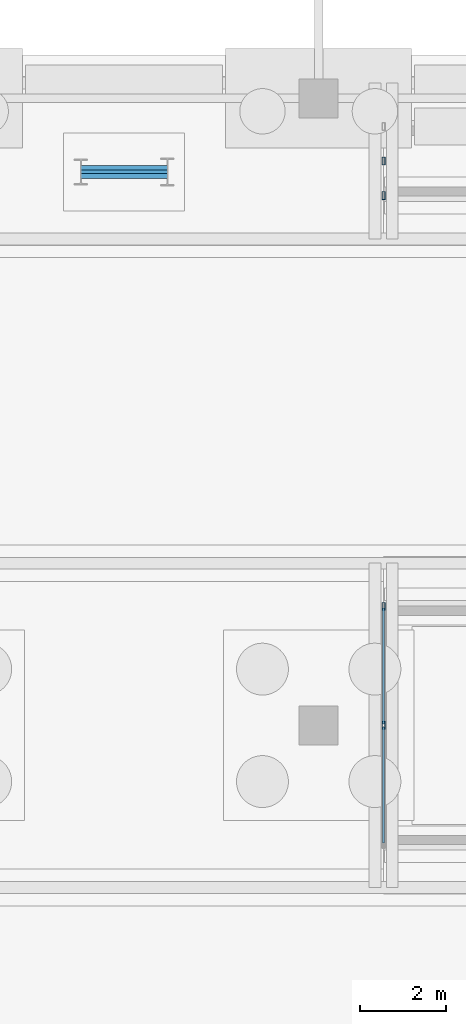
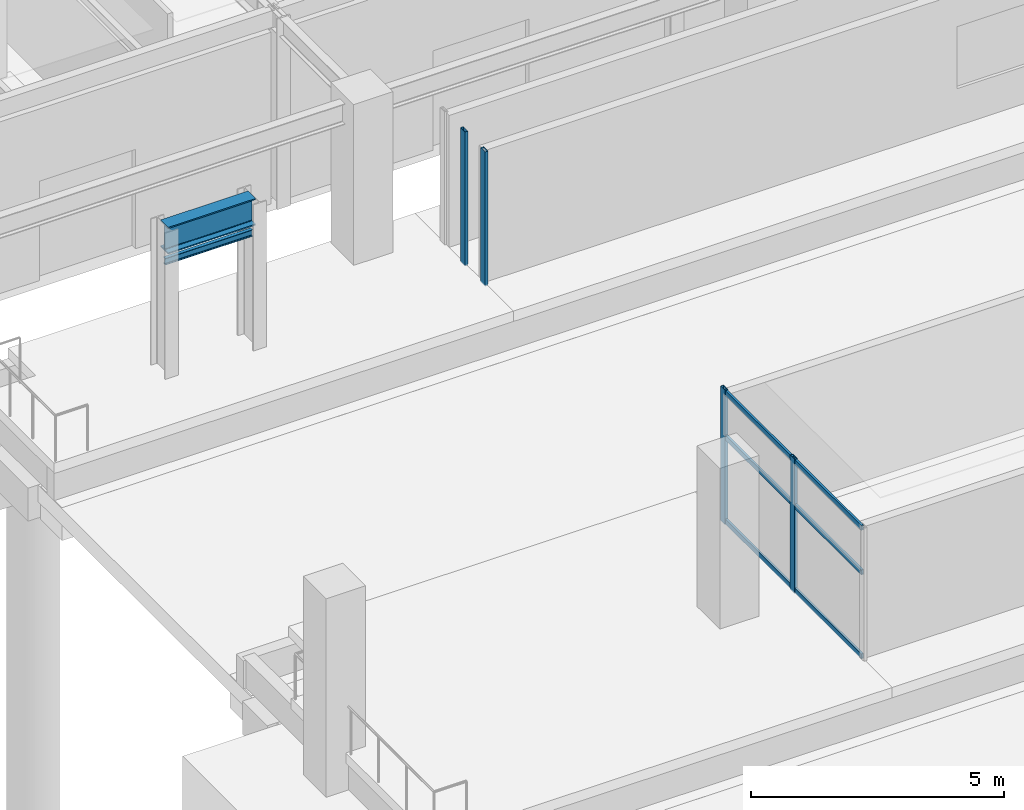
# One storey, part 72 of 160: 11 members, 1 beam, 2 elements without a shape of their own.
"""IFC4 building model written with IfcOpenShell, lengths in metres."""

from ifc_helpers import new_model, si_unit, direction, frame, origin, origin_2d, place, context, subcontext, project, spatial, hollow_rectangle, i_section, extrude, material, layer, layer_set, material_profile, profile_set, type_object, element, aggregate, save


model = new_model("IFC4")

# Units and contexts
model_context = context("Model", 3, precision=1e-05, world=origin(), true_north=direction((0.0, 1.0)))
body_context = subcontext(model_context, "Body", "Model", "MODEL_VIEW")
ifc_project = project(units=[si_unit("LENGTHUNIT", "METRE"), si_unit("AREAUNIT", "SQUARE_METRE"), si_unit("VOLUMEUNIT", "CUBIC_METRE"), si_unit("PLANEANGLEUNIT", "RADIAN"), si_unit("MASSUNIT", "GRAM", prefix="KILO")], contexts=[model_context])

# Site, building, storey
site_placement = place(None, origin())
site = spatial("IfcSite", under=ifc_project, at=site_placement, CompositionType="ELEMENT")
building_placement = place(site_placement, origin())
building = spatial("IfcBuilding", under=site, at=building_placement, Name="Marlcrest Central Station", CompositionType="ELEMENT")
storey_placement = place(building_placement, origin())
storey = spatial("IfcBuildingStorey", under=building, at=storey_placement, Name="L00", CompositionType="ELEMENT", Elevation=0.0)

# Beam
ifc_material_1 = material(Name="Steel S355", Category="steel")
ifc_material_profile_1 = material_profile(ifc_material_1, i_section(OverallWidth=0.300048828125, OverallDepth=0.64990234375, WebThickness=0.01611328125, FlangeThickness=0.031005859375, FilletRadius=0.027099609375, at=origin_2d()), Name="HEB 650")
ifc_profile_set_1 = profile_set([ifc_material_profile_1], Name="Steel S355")
beam_type = type_object("IfcBeamType", Name="BM-20", PredefinedType="BEAM", material=ifc_profile_set_1)
beam_placement = place(storey_placement, frame((3.5, 93.800048828125, 4.125), z_axis=(1.0, 0.0, 0.0), x_axis=(0.0, 1.0, 0.0)))
element("IfcBeam", 1, at=beam_placement, inside=storey, type_object=beam_type, Name="bm-BM-20-L00-01553", PredefinedType="BEAM", context=body_context, shape_type="SweptSolid", body=[
    extrude(i_section(OverallWidth=0.300048828125, OverallDepth=0.64990234375, WebThickness=0.01611328125, FlangeThickness=0.031005859375, FilletRadius=0.027099609375, at=origin_2d()), origin(), (0.0, 0.0, 1.0), 2.0),
])

# Curtain wall, members
ifc_material_2 = material(Name="Anodised aluminium and hurricane laminated glass", Category="aluminium")
ifc_layer = layer(ifc_material_2, 0.179931640625, Name="CW-S1")
ifc_layer_set = layer_set([ifc_layer], Name="Anodised aluminium and hurricane laminated glass")
curtain_wall_type = type_object("IfcCurtainWallType", Name="CW-S1", PredefinedType="USERDEFINED", material=ifc_layer_set)
curtain_wall_1_placement = place(storey_placement, origin())
curtain_wall_1 = element("IfcCurtainWall", 2, at=curtain_wall_1_placement, inside=storey, type_object=curtain_wall_type, Name="cw-L00-0177", ObjectType="STICK_CURTAIN_WALL", PredefinedType="USERDEFINED")
ifc_material_3 = material(Name="Anodised aluminium 6063-T6", Category="aluminium")
ifc_material_profile_2 = material_profile(ifc_material_3, hollow_rectangle(XDim=0.070068359375, YDim=0.179931640625, WallThickness=0.0048828125, at=origin_2d()), Name="AA-RHS 180x70x5")
ifc_profile_set_2 = profile_set([ifc_material_profile_2], Name="Anodised aluminium 6063-T6")
member_type_1 = type_object("IfcMemberType", Name="ML-02", PredefinedType="MULLION", material=ifc_profile_set_2)
member_1_placement = place(storey_placement, frame((10.5, 81.0, 0.885009765625), z_axis=(0.0, 0.0, 1.0), x_axis=(1.0, 0.0, 0.0)))
member_1 = element("IfcMember", 3, at=member_1_placement, type_object=member_type_1, Name="cw-L00-0177-ml-1", PredefinedType="MULLION", context=body_context, shape_type="SweptSolid", body=[
    extrude(hollow_rectangle(XDim=0.070068359375, YDim=0.179931640625, WallThickness=0.0048828125, at=origin_2d()), origin(), (0.0, 0.0, 1.0), 3.244873046875),
])
member_2_placement = place(storey_placement, frame((10.5, 83.75, 0.885009765625), z_axis=(0.0, 0.0, 1.0), x_axis=(1.0, 0.0, 0.0)))
member_2 = element("IfcMember", 4, at=member_2_placement, type_object=member_type_1, Name="cw-L00-0177-ml-2", PredefinedType="MULLION", context=body_context, shape_type="SweptSolid", body=[
    extrude(hollow_rectangle(XDim=0.070068359375, YDim=0.179931640625, WallThickness=0.0048828125, at=origin_2d()), origin(), (0.0, 0.0, 1.0), 3.244873046875),
])

curtain_wall_2_placement = place(storey_placement, origin())
curtain_wall_2 = element("IfcCurtainWall", 5, at=curtain_wall_2_placement, inside=storey, type_object=curtain_wall_type, Name="cw-L00-0179", ObjectType="STICK_CURTAIN_WALL", PredefinedType="USERDEFINED")
member_3_placement = place(storey_placement, frame((10.5, 93.25, 0.885009765625), z_axis=(0.0, 0.0, 1.0), x_axis=(1.0, 0.0, 0.0)))
member_3 = element("IfcMember", 6, at=member_3_placement, type_object=member_type_1, Name="cw-L00-0179-ml-0", PredefinedType="MULLION", context=body_context, shape_type="SweptSolid", body=[
    extrude(hollow_rectangle(XDim=0.070068359375, YDim=0.179931640625, WallThickness=0.0048828125, at=origin_2d()), origin(), (0.0, 0.0, 1.0), 3.244873046875),
])
member_4_placement = place(storey_placement, frame((10.5, 94.050048828125, 0.885009765625), z_axis=(0.0, 0.0, 1.0), x_axis=(1.0, 0.0, 0.0)))
member_4 = element("IfcMember", 7, at=member_4_placement, type_object=member_type_1, Name="cw-L00-0179-ml-1", PredefinedType="MULLION", context=body_context, shape_type="SweptSolid", body=[
    extrude(hollow_rectangle(XDim=0.070068359375, YDim=0.179931640625, WallThickness=0.0048828125, at=origin_2d()), origin(), (0.0, 0.0, 1.0), 3.244873046875),
])
aggregate(curtain_wall_2, [member_3, member_4])

# Member
ifc_material_profile_3 = material_profile(ifc_material_1, i_section(OverallWidth=0.08203125, OverallDepth=0.159912109375, WebThickness=0.0048828125, FlangeThickness=0.00732421875, FilletRadius=0.009033203125, at=origin_2d()), Name="IPE 160")
ifc_profile_set_3 = profile_set([ifc_material_profile_3], Name="Steel S355")
member_type_2 = type_object("IfcMemberType", Name="PR-04", PredefinedType="PURLIN", material=ifc_profile_set_3)
member_5_placement = place(storey_placement, frame((3.5, 93.800048828125, 3.550048828125), z_axis=(1.0, 0.0, 0.0), x_axis=(0.0, 1.0, 0.0)))
element("IfcMember", 8, at=member_5_placement, inside=storey, type_object=member_type_2, Name="mem-PR-04-L00-02547", PredefinedType="PURLIN", context=body_context, shape_type="SweptSolid", body=[
    extrude(i_section(OverallWidth=0.08203125, OverallDepth=0.159912109375, WebThickness=0.0048828125, FlangeThickness=0.00732421875, FilletRadius=0.009033203125, at=origin_2d()), origin(), (0.0, 0.0, 1.0), 2.0),
])

ifc_material_profile_4 = material_profile(ifc_material_3, hollow_rectangle(XDim=0.050048828125, YDim=0.1201171875, WallThickness=0.00390625, at=origin_2d()), Name="AA-RHS 120x50x4")
ifc_profile_set_4 = profile_set([ifc_material_profile_4], Name="Anodised aluminium 6063-T6")
member_type_3 = type_object("IfcMemberType", Name="TR-02", PredefinedType="USERDEFINED", material=ifc_profile_set_4)
member_6_placement = place(storey_placement, frame((10.5, 78.282958984375, 0.955078125), z_axis=(0.0, 1.0, 0.0), x_axis=(-1.0, 0.0, 0.0)))
member_6 = element("IfcMember", 9, at=member_6_placement, type_object=member_type_3, Name="cw-L00-0177-tr-0-sill", ObjectType="TRANSOM", PredefinedType="USERDEFINED", context=body_context, shape_type="SweptSolid", body=[
    extrude(hollow_rectangle(XDim=0.050048828125, YDim=0.1201171875, WallThickness=0.00390625, at=origin_2d()), origin(), (0.0, 0.0, 1.0), 2.68408203125),
])

member_7_placement = place(storey_placement, frame((10.5, 78.282958984375, 2.985107421875), z_axis=(0.0, 1.0, 0.0), x_axis=(-1.0, 0.0, 0.0)))
member_7 = element("IfcMember", 10, at=member_7_placement, type_object=member_type_3, Name="cw-L00-0177-tr-0-mid", ObjectType="TRANSOM", PredefinedType="USERDEFINED", context=body_context, shape_type="SweptSolid", body=[
    extrude(hollow_rectangle(XDim=0.050048828125, YDim=0.1201171875, WallThickness=0.00390625, at=origin_2d()), origin(), (0.0, 0.0, 1.0), 2.68408203125),
])

member_8_placement = place(storey_placement, frame((10.5, 78.282958984375, 4.06005859375), z_axis=(0.0, 1.0, 0.0), x_axis=(-1.0, 0.0, 0.0)))
member_8 = element("IfcMember", 11, at=member_8_placement, type_object=member_type_3, Name="cw-L00-0177-tr-0-head", ObjectType="TRANSOM", PredefinedType="USERDEFINED", context=body_context, shape_type="SweptSolid", body=[
    extrude(hollow_rectangle(XDim=0.050048828125, YDim=0.1201171875, WallThickness=0.00390625, at=origin_2d()), origin(), (0.0, 0.0, 1.0), 2.68408203125),
])

member_9_placement = place(storey_placement, frame((10.5, 81.032958984375, 0.955078125), z_axis=(0.0, 1.0, 0.0), x_axis=(-1.0, 0.0, 0.0)))
member_9 = element("IfcMember", 12, at=member_9_placement, type_object=member_type_3, Name="cw-L00-0177-tr-1-sill", ObjectType="TRANSOM", PredefinedType="USERDEFINED", context=body_context, shape_type="SweptSolid", body=[
    extrude(hollow_rectangle(XDim=0.050048828125, YDim=0.1201171875, WallThickness=0.00390625, at=origin_2d()), origin(), (0.0, 0.0, 1.0), 2.68408203125),
])

member_10_placement = place(storey_placement, frame((10.5, 81.032958984375, 2.985107421875), z_axis=(0.0, 1.0, 0.0), x_axis=(-1.0, 0.0, 0.0)))
member_10 = element("IfcMember", 13, at=member_10_placement, type_object=member_type_3, Name="cw-L00-0177-tr-1-mid", ObjectType="TRANSOM", PredefinedType="USERDEFINED", context=body_context, shape_type="SweptSolid", body=[
    extrude(hollow_rectangle(XDim=0.050048828125, YDim=0.1201171875, WallThickness=0.00390625, at=origin_2d()), origin(), (0.0, 0.0, 1.0), 2.68408203125),
])

member_11_placement = place(storey_placement, frame((10.5, 81.032958984375, 4.06005859375), z_axis=(0.0, 1.0, 0.0), x_axis=(-1.0, 0.0, 0.0)))
member_11 = element("IfcMember", 14, at=member_11_placement, type_object=member_type_3, Name="cw-L00-0177-tr-1-head", ObjectType="TRANSOM", PredefinedType="USERDEFINED", context=body_context, shape_type="SweptSolid", body=[
    extrude(hollow_rectangle(XDim=0.050048828125, YDim=0.1201171875, WallThickness=0.00390625, at=origin_2d()), origin(), (0.0, 0.0, 1.0), 2.68408203125),
])

aggregate(curtain_wall_1, [member_1, member_2, member_6, member_7, member_8, member_9, member_10, member_11])

save(model, "model.ifc")
